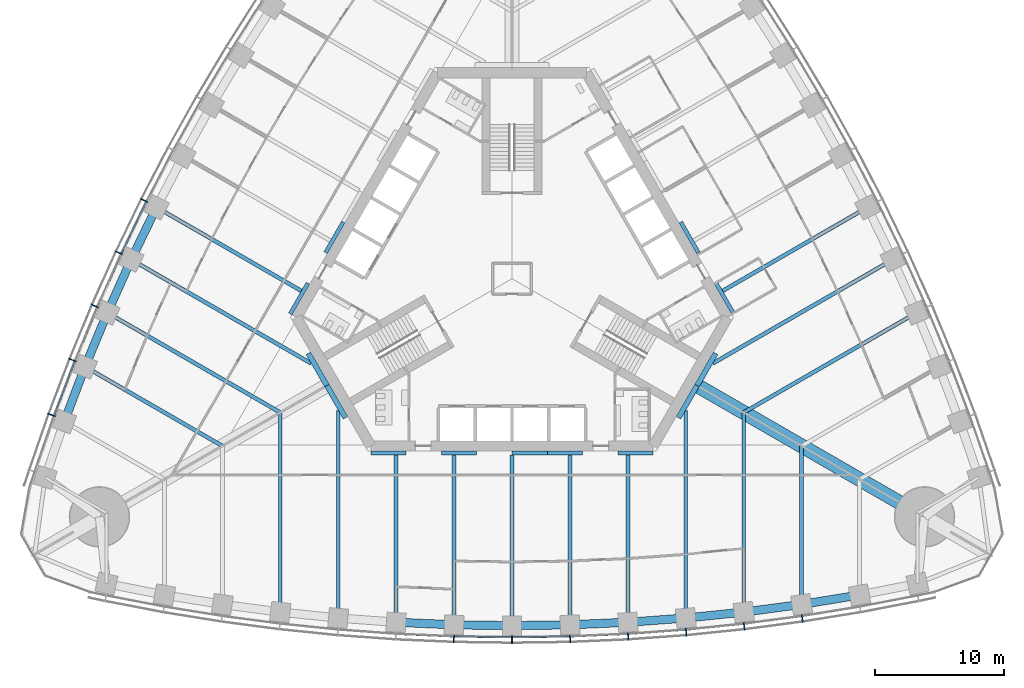
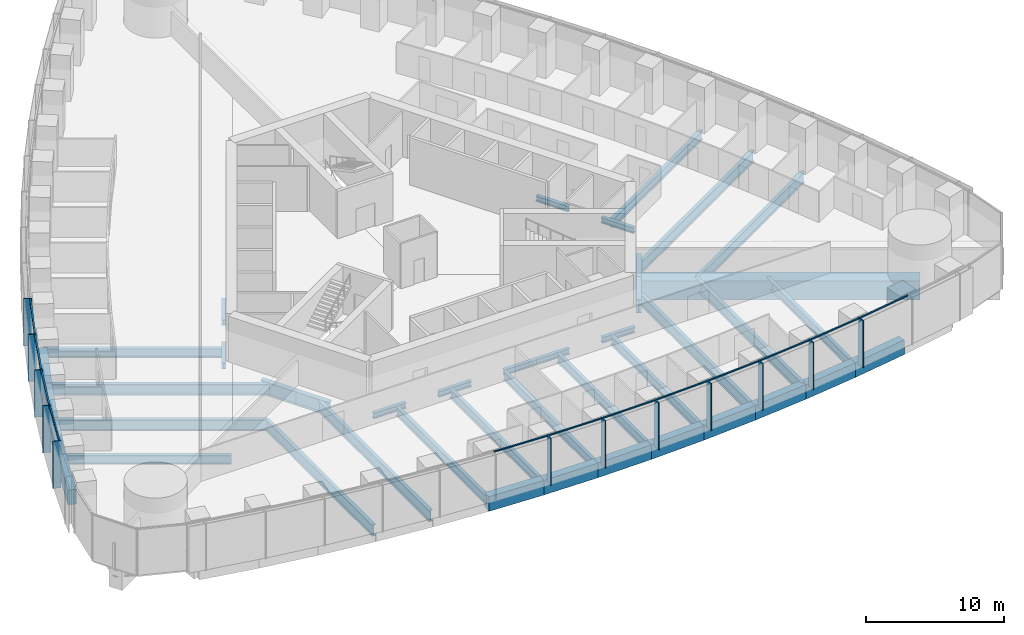
# One storey, part 3 of 18: 43 beams, 24 members, 2 elements without a shape of their own.
"""IFC4 building model written with IfcOpenShell, lengths in metres."""

from ifc_helpers import new_model, si_unit, direction, frame, origin, origin_2d, place, context, subcontext, project, spatial, rectangle, i_section, extrude, material, material_profile, profile_set, type_object, element, aggregate, save


model = new_model("IFC4")

# Units and contexts
model_context = context("Model", 3, precision=1e-05, world=origin(), true_north=direction((0.0, 1.0)))
body_context = subcontext(model_context, "Body", "Model", "MODEL_VIEW")
ifc_project = project(units=[si_unit("LENGTHUNIT", "METRE"), si_unit("AREAUNIT", "SQUARE_METRE"), si_unit("VOLUMEUNIT", "CUBIC_METRE"), si_unit("PLANEANGLEUNIT", "RADIAN"), si_unit("MASSUNIT", "GRAM", prefix="KILO")], contexts=[model_context])

# Site, building, storey
site_placement = place(None, origin())
site = spatial("IfcSite", under=ifc_project, at=site_placement, CompositionType="ELEMENT")
building_placement = place(site_placement, origin())
building = spatial("IfcBuilding", under=site, at=building_placement, Name="Trefoil Bronze Tower", CompositionType="ELEMENT")
storey_placement = place(building_placement, frame((0.0, 0.0, 58.5)))
storey = spatial("IfcBuildingStorey", under=building, at=storey_placement, Name="L13", CompositionType="ELEMENT", Elevation=58.5)

# Curtain wall, members
ifc_material_1 = material(Name="Tinted solar-control glass", Category="glass")
curtain_wall_type = type_object("IfcCurtainWallType", Name="Bronze office curtain wall", PredefinedType="USERDEFINED", material=ifc_material_1)
curtain_wall_1_placement = place(storey_placement, origin())
curtain_wall_1 = element("IfcCurtainWall", 1, at=curtain_wall_1_placement, inside=storey, type_object=curtain_wall_type, Name="CW-A L13 F1", ObjectType="CURTAIN WALL", PredefinedType="USERDEFINED")
ifc_material_2 = material(Name="Bronze-finish aluminium", Category="aluminium")
ifc_material_profile_1 = material_profile(ifc_material_2, rectangle(XDim=0.60009765625, YDim=0.080078125, at=origin_2d()), Name="CW-A mullion")
ifc_profile_set_1 = profile_set([ifc_material_profile_1], Name="Bronze-finish aluminium")
member_type_1 = type_object("IfcMemberType", Name="Bronze office curtain wall mullion", PredefinedType="MULLION", material=ifc_profile_set_1)
member_1_placement = place(storey_placement, frame((-4.5087890625, -27.9833984375, 0.0), z_axis=(0.0, 0.0, 1.0), x_axis=(0.029021671584, 0.999578782577, 0.0)))
member_1 = element("IfcMember", 2, at=member_1_placement, type_object=member_type_1, Name="CW-A L13 F1 mullion 8", PredefinedType="MULLION", context=body_context, shape_type="SweptSolid", body=[
    extrude(rectangle(XDim=0.60009765625, YDim=0.080078125, at=origin_2d()), origin(), (0.0, 0.0, 1.0), 4.179931640625),
])
member_2_placement = place(storey_placement, frame((0.0, -28.048828125, 0.0), z_axis=(0.0, 0.0, 1.0), x_axis=(0.0, 1.0, 0.0)))
member_2 = element("IfcMember", 3, at=member_2_placement, type_object=member_type_1, Name="CW-A L13 F1 mullion 9", PredefinedType="MULLION", context=body_context, shape_type="SweptSolid", body=[
    extrude(rectangle(XDim=0.60009765625, YDim=0.080078125, at=origin_2d()), origin(), (0.0, 0.0, 1.0), 4.179931640625),
])
member_3_placement = place(storey_placement, frame((4.5087890625, -27.9833984375, 0.0), z_axis=(0.0, 0.0, 1.0), x_axis=(-0.029021671584, 0.999578782577, 0.0)))
member_3 = element("IfcMember", 4, at=member_3_placement, type_object=member_type_1, Name="CW-A L13 F1 mullion 10", PredefinedType="MULLION", context=body_context, shape_type="SweptSolid", body=[
    extrude(rectangle(XDim=0.60009765625, YDim=0.080078125, at=origin_2d()), origin(), (0.0, 0.0, 1.0), 4.179931640625),
])
member_4_placement = place(storey_placement, frame((9.017333984375, -27.786865234375, 0.0), z_axis=(0.0, 0.0, 1.0), x_axis=(-0.058043374207, 0.998314062162, 0.0)))
member_4 = element("IfcMember", 5, at=member_4_placement, type_object=member_type_1, Name="CW-A L13 F1 mullion 11", PredefinedType="MULLION", context=body_context, shape_type="SweptSolid", body=[
    extrude(rectangle(XDim=0.60009765625, YDim=0.080078125, at=origin_2d()), origin(), (0.0, 0.0, 1.0), 4.179931640625),
])
member_5_placement = place(storey_placement, frame((13.526123046875, -27.458984375, 0.0), z_axis=(0.0, 0.0, 1.0), x_axis=(-0.087065139456, 0.996202620701, 0.0)))
member_5 = element("IfcMember", 6, at=member_5_placement, type_object=member_type_1, Name="CW-A L13 F1 mullion 12", PredefinedType="MULLION", context=body_context, shape_type="SweptSolid", body=[
    extrude(rectangle(XDim=0.60009765625, YDim=0.080078125, at=origin_2d()), origin(), (0.0, 0.0, 1.0), 4.179931640625),
])
member_6_placement = place(storey_placement, frame((18.034912109375, -26.99853515625, 0.0), z_axis=(0.0, 0.0, 1.0), x_axis=(-0.116086999973, 0.993239048989, 0.0)))
member_6 = element("IfcMember", 7, at=member_6_placement, type_object=member_type_1, Name="CW-A L13 F1 mullion 13", PredefinedType="MULLION", context=body_context, shape_type="SweptSolid", body=[
    extrude(rectangle(XDim=0.60009765625, YDim=0.080078125, at=origin_2d()), origin(), (0.0, 0.0, 1.0), 4.179931640625),
])
member_7_placement = place(storey_placement, frame((22.54345703125, -26.40478515625, 0.0), z_axis=(0.0, 0.0, 1.0), x_axis=(-0.145108990094, 0.989415676546, 0.0)))
member_7 = element("IfcMember", 8, at=member_7_placement, type_object=member_type_1, Name="CW-A L13 F1 mullion 14", PredefinedType="MULLION", context=body_context, shape_type="SweptSolid", body=[
    extrude(rectangle(XDim=0.60009765625, YDim=0.080078125, at=origin_2d()), origin(), (0.0, 0.0, 1.0), 4.179931640625),
])

curtain_wall_2_placement = place(storey_placement, origin())
curtain_wall_2 = element("IfcCurtainWall", 9, at=curtain_wall_2_placement, inside=storey, type_object=curtain_wall_type, Name="CW-A L13 F3", ObjectType="CURTAIN WALL", PredefinedType="USERDEFINED")
member_8_placement = place(storey_placement, frame((-28.57275390625, 6.084228515625, 0.0), z_axis=(0.0, 0.0, 1.0), x_axis=(0.893587025891, -0.448889994497, 0.0)))
member_8 = element("IfcMember", 10, at=member_8_placement, type_object=member_type_1, Name="CW-A L13 F3 mullion 11", PredefinedType="MULLION", context=body_context, shape_type="SweptSolid", body=[
    extrude(rectangle(XDim=0.60009765625, YDim=0.080078125, at=origin_2d()), origin(), (0.0, 0.0, 1.0), 4.179931640625),
])
member_9_placement = place(storey_placement, frame((-30.543212890625, 2.015380859375, 0.0), z_axis=(0.0, 0.0, 1.0), x_axis=(0.906269346572, -0.422700687798, 0.0)))
member_9 = element("IfcMember", 11, at=member_9_placement, type_object=member_type_1, Name="CW-A L13 F3 mullion 12", PredefinedType="MULLION", context=body_context, shape_type="SweptSolid", body=[
    extrude(rectangle(XDim=0.60009765625, YDim=0.080078125, at=origin_2d()), origin(), (0.0, 0.0, 1.0), 4.179931640625),
])
member_10_placement = place(storey_placement, frame((-32.39892578125, -2.119384765625, 0.0), z_axis=(0.0, 0.0, 1.0), x_axis=(0.918213748442, -0.396085233469, 0.0)))
member_10 = element("IfcMember", 12, at=member_10_placement, type_object=member_type_1, Name="CW-A L13 F3 mullion 13", PredefinedType="MULLION", context=body_context, shape_type="SweptSolid", body=[
    extrude(rectangle(XDim=0.60009765625, YDim=0.080078125, at=origin_2d()), origin(), (0.0, 0.0, 1.0), 4.179931640625),
])
member_11_placement = place(storey_placement, frame((-34.138916015625, -6.32080078125, 0.0), z_axis=(0.0, 0.0, 1.0), x_axis=(0.929413605838, -0.369039766534, 0.0)))
member_11 = element("IfcMember", 13, at=member_11_placement, type_object=member_type_1, Name="CW-A L13 F3 mullion 14", PredefinedType="MULLION", context=body_context, shape_type="SweptSolid", body=[
    extrude(rectangle(XDim=0.60009765625, YDim=0.080078125, at=origin_2d()), origin(), (0.0, 0.0, 1.0), 4.179931640625),
])
member_12_placement = place(storey_placement, frame((-35.761962890625, -10.590087890625, 0.0), z_axis=(0.0, 0.0, 1.0), x_axis=(0.939860248316, -0.341559238839, 0.0)))
member_12 = element("IfcMember", 14, at=member_12_placement, type_object=member_type_1, Name="CW-A L13 F3 mullion 15", PredefinedType="MULLION", context=body_context, shape_type="SweptSolid", body=[
    extrude(rectangle(XDim=0.60009765625, YDim=0.080078125, at=origin_2d()), origin(), (0.0, 0.0, 1.0), 4.179931640625),
])

# Member
ifc_material_3 = material(Name="Bronze-finish aluminium", Category="aluminium")
ifc_material_profile_2 = material_profile(ifc_material_3, rectangle(XDim=0.1201171875, YDim=0.10009765625, at=origin_2d()), Name="CW-A transom")
ifc_profile_set_2 = profile_set([ifc_material_profile_2], Name="Bronze-finish aluminium")
member_type_2 = type_object("IfcMemberType", Name="Bronze office curtain wall transom", PredefinedType="USERDEFINED", material=ifc_profile_set_2)
member_13_placement = place(storey_placement, frame((-8.96435546875, -27.589111328125, 4.1298828125), z_axis=(0.999054074786, -0.043485119914, 0.0), x_axis=(0.043485119914, 0.999054074786, 0.0)))
member_13 = element("IfcMember", 15, at=member_13_placement, type_object=member_type_2, Name="CW-A L13 F1 transom 7", ObjectType="TRANSOM", PredefinedType="USERDEFINED", context=body_context, shape_type="SweptSolid", body=[
    extrude(rectangle(XDim=0.1201171875, YDim=0.10009765625, at=origin_2d()), origin(), (0.0, 0.0, 1.0), 4.424072265625),
])

member_14_placement = place(storey_placement, frame((-4.46142578125, -27.783935546875, 4.1298828125), z_axis=(0.999894497273, -0.014525643658, 0.0), x_axis=(0.014525643658, 0.999894497273, 0.0)))
member_14 = element("IfcMember", 16, at=member_14_placement, type_object=member_type_2, Name="CW-A L13 F1 transom 8", ObjectType="TRANSOM", PredefinedType="USERDEFINED", context=body_context, shape_type="SweptSolid", body=[
    extrude(rectangle(XDim=0.1201171875, YDim=0.10009765625, at=origin_2d()), origin(), (0.0, 0.0, 1.0), 4.42041015625),
])

member_15_placement = place(storey_placement, frame((0.04150390625, -27.84814453125, 4.1298828125), z_axis=(0.999894497273, 0.014525643658, 0.0), x_axis=(-0.014525643658, 0.999894497273, 0.0)))
member_15 = element("IfcMember", 17, at=member_15_placement, type_object=member_type_2, Name="CW-A L13 F1 transom 9", ObjectType="TRANSOM", PredefinedType="USERDEFINED", context=body_context, shape_type="SweptSolid", body=[
    extrude(rectangle(XDim=0.1201171875, YDim=0.10009765625, at=origin_2d()), origin(), (0.0, 0.0, 1.0), 4.42041015625),
])

member_16_placement = place(storey_placement, frame((4.54443359375, -27.781494140625, 4.1298828125), z_axis=(0.999054074786, 0.043485119914, 0.0), x_axis=(-0.043485119914, 0.999054074786, 0.0)))
member_16 = element("IfcMember", 18, at=member_16_placement, type_object=member_type_2, Name="CW-A L13 F1 transom 10", ObjectType="TRANSOM", PredefinedType="USERDEFINED", context=body_context, shape_type="SweptSolid", body=[
    extrude(rectangle(XDim=0.1201171875, YDim=0.10009765625, at=origin_2d()), origin(), (0.0, 0.0, 1.0), 4.424072265625),
])

member_17_placement = place(storey_placement, frame((9.047119140625, -27.584228515625, 4.1298828125), z_axis=(0.997364729945, 0.07255064067, 0.0), x_axis=(-0.07255064067, 0.997364729945, 0.0)))
member_17 = element("IfcMember", 19, at=member_17_placement, type_object=member_type_2, Name="CW-A L13 F1 transom 11", ObjectType="TRANSOM", PredefinedType="USERDEFINED", context=body_context, shape_type="SweptSolid", body=[
    extrude(rectangle(XDim=0.1201171875, YDim=0.10009765625, at=origin_2d()), origin(), (0.0, 0.0, 1.0), 4.431884765625),
])

member_18_placement = place(storey_placement, frame((13.550048828125, -27.25537109375, 4.1298828125), z_axis=(0.994831650915, 0.101538102888, 0.0), x_axis=(-0.101538102888, 0.994831650915, 0.0)))
member_18 = element("IfcMember", 20, at=member_18_placement, type_object=member_type_2, Name="CW-A L13 F1 transom 12", ObjectType="TRANSOM", PredefinedType="USERDEFINED", context=body_context, shape_type="SweptSolid", body=[
    extrude(rectangle(XDim=0.1201171875, YDim=0.10009765625, at=origin_2d()), origin(), (0.0, 0.0, 1.0), 4.443359375),
])

member_19_placement = place(storey_placement, frame((18.052734375, -26.79443359375, 4.1298828125), z_axis=(0.991436581643, 0.13058906761, 0.0), x_axis=(-0.13058906761, 0.991436581643, 0.0)))
member_19 = element("IfcMember", 21, at=member_19_placement, type_object=member_type_2, Name="CW-A L13 F1 transom 13", ObjectType="TRANSOM", PredefinedType="USERDEFINED", context=body_context, shape_type="SweptSolid", body=[
    extrude(rectangle(XDim=0.1201171875, YDim=0.10009765625, at=origin_2d()), origin(), (0.0, 0.0, 1.0), 4.458740234375),
])

member_20_placement = place(storey_placement, frame((22.555419921875, -26.2001953125, 4.1298828125), z_axis=(0.987179401487, 0.159614627398, 0.0), x_axis=(-0.159614627398, 0.987179401487, 0.0)))
member_20 = element("IfcMember", 22, at=member_20_placement, type_object=member_type_2, Name="CW-A L13 F1 transom 14", ObjectType="TRANSOM", PredefinedType="USERDEFINED", context=body_context, shape_type="SweptSolid", body=[
    extrude(rectangle(XDim=0.1201171875, YDim=0.10009765625, at=origin_2d()), origin(), (0.0, 0.0, 1.0), 4.478515625),
])

aggregate(curtain_wall_1, [member_1, member_2, member_3, member_4, member_5, member_6, member_7, member_13, member_14, member_15, member_16, member_17, member_18, member_19, member_20])

member_21_placement = place(storey_placement, frame((-28.412109375, 5.95703125, 4.1298828125), z_axis=(-0.435851763293, -0.900018466719, 0.0), x_axis=(0.900018466719, -0.435851763293, 0.0)))
member_21 = element("IfcMember", 23, at=member_21_placement, type_object=member_type_2, Name="CW-A L13 F3 transom 11", ObjectType="TRANSOM", PredefinedType="USERDEFINED", context=body_context, shape_type="SweptSolid", body=[
    extrude(rectangle(XDim=0.1201171875, YDim=0.10009765625, at=origin_2d()), origin(), (0.0, 0.0, 1.0), 4.431884765625),
])

member_22_placement = place(storey_placement, frame((-30.37890625, 1.89306640625, 4.1298828125), z_axis=(-0.409459746452, -0.912328184392, 0.0), x_axis=(0.912328184392, -0.409459746452, 0.0)))
member_22 = element("IfcMember", 24, at=member_22_placement, type_object=member_type_2, Name="CW-A L13 F3 transom 12", ObjectType="TRANSOM", PredefinedType="USERDEFINED", context=body_context, shape_type="SweptSolid", body=[
    extrude(rectangle(XDim=0.1201171875, YDim=0.10009765625, at=origin_2d()), origin(), (0.0, 0.0, 1.0), 4.443359375),
])

member_23_placement = place(storey_placement, frame((-32.231201171875, -2.23681640625, 4.1298828125), z_axis=(-0.382616149417, -0.923907399151, 0.0), x_axis=(0.923907399151, -0.382616149417, 0.0)))
member_23 = element("IfcMember", 25, at=member_23_placement, type_object=member_type_2, Name="CW-A L13 F3 transom 13", ObjectType="TRANSOM", PredefinedType="USERDEFINED", context=body_context, shape_type="SweptSolid", body=[
    extrude(rectangle(XDim=0.1201171875, YDim=0.10009765625, at=origin_2d()), origin(), (0.0, 0.0, 1.0), 4.458984375),
])

member_24_placement = place(storey_placement, frame((-33.9677734375, -6.433349609375, 4.1298828125), z_axis=(-0.355367327392, -0.934726731522, 0.0), x_axis=(0.934726731522, -0.355367327392, 0.0)))
member_24 = element("IfcMember", 26, at=member_24_placement, type_object=member_type_2, Name="CW-A L13 F3 transom 14", ObjectType="TRANSOM", PredefinedType="USERDEFINED", context=body_context, shape_type="SweptSolid", body=[
    extrude(rectangle(XDim=0.1201171875, YDim=0.10009765625, at=origin_2d()), origin(), (0.0, 0.0, 1.0), 4.478515625),
])

aggregate(curtain_wall_2, [member_8, member_9, member_10, member_11, member_12, member_21, member_22, member_23, member_24])

# Beams
ifc_material_4 = material(Name="Steel C355", Category="steel")
ifc_material_profile_3 = material_profile(ifc_material_4, i_section(OverallWidth=0.300048828125, OverallDepth=0.5, WebThickness=0.014404296875, FlangeThickness=0.028076171875, FilletRadius=0.027099609375, at=origin_2d()), Name="HEB 500")
ifc_profile_set_3 = profile_set([ifc_material_profile_3], Name="Steel C355")
beam_type_1 = type_object("IfcBeamType", Name="Core seat beam HEB 500", PredefinedType="BEAM", material=ifc_profile_set_3)
for number, where, z_axis, x_axis, name in (
    (27, (-10.9697265625, -13.550048828125, -0.449951171875), (1.0, 0.0, 0.0), (0.0, 1.0, 0.0), "Core seat beam F1/-2 L13"),
    (28, (-5.48486328125, -13.550048828125, -0.449951171875), (1.0, 0.0, 0.0), (0.0, 1.0, 0.0), "Core seat beam F1/-1 L13"),
    (29, (0.0, -13.550048828125, -0.449951171875), (1.0, 0.0, 0.0), (0.0, 1.0, 0.0), "Core seat beam F1/+0 L13"),
    (30, (2.742431640625, -13.550048828125, -0.449951171875), (1.0, 0.0, 0.0), (0.0, 1.0, 0.0), "Core seat beam F1/+1 L13"),
    (31, (8.227294921875, -13.550048828125, -0.449951171875), (1.0, 0.0, 0.0), (0.0, 1.0, 0.0), "Core seat beam F1/+2 L13"),
    (32, (17.219482421875, -2.72509765625, -0.449951171875), (-0.500035825175, 0.866004719122, 0.0), (-0.866004719122, -0.500035825175, 0.0), "Core seat beam F2/-2 L13"),
    (33, (14.47705078125, 2.02490234375, -0.449951171875), (-0.499969057507, 0.866043267704, 0.0), (-0.866043267704, -0.499969057507, 0.0), "Core seat beam F2/-1 L13"),
    (34, (-13.10595703125, 4.39990234375, -0.449951171875), (-0.499969057507, -0.866043267704, 0.0), (0.866043267704, -0.499969057507, 0.0), "Core seat beam F3/+1 L13"),
    (35, (-15.84814453125, -0.35009765625, -0.449951171875), (-0.500035825175, -0.866004719122, 0.0), (0.866004719122, -0.500035825175, 0.0), "Core seat beam F3/+2 L13"),
):
    element("IfcBeam", number, at=place(storey_placement, frame(where, z_axis=z_axis, x_axis=x_axis)), inside=storey, type_object=beam_type_1, Name=name, PredefinedType="BEAM", context=body_context, shape_type="SweptSolid", body=[
        extrude(i_section(OverallWidth=0.300048828125, OverallDepth=0.5, WebThickness=0.014404296875, FlangeThickness=0.028076171875, FilletRadius=0.027099609375, at=origin_2d()), origin(), (0.0, 0.0, 1.0), 2.742431640625),
    ])
ifc_material_5 = material(Name="Steel C355", Category="steel")
ifc_material_profile_4 = material_profile(ifc_material_5, i_section(OverallWidth=0.39990234375, OverallDepth=1.199951171875, WebThickness=0.02001953125, FlangeThickness=0.0400390625, FilletRadius=0.010009765625, at=origin_2d()), Name="WPG 1200")
ifc_profile_set_4 = profile_set([ifc_material_profile_4], Name="Steel C355")
beam_type_2 = type_object("IfcBeamType", Name="Core seat beam WPG 1200", PredefinedType="BEAM", material=ifc_profile_set_4)
for number, where, z_axis, x_axis, name in (
    (36, (-14.3759765625, -8.300048828125, -0.800048828125), (0.499995765644, -0.866027848477, 0.0), (0.866027848477, 0.499995765644, 0.0), "Core seat beam F1/-3 L13"),
    (37, (12.9326171875, -10.800048828125, -0.800048828125), (0.499995765644, 0.866027848477, 0.0), (-0.866027848477, 0.499995765644, 0.0), "Core seat beam F1/+3 L13"),
    (38, (14.3759765625, -8.300048828125, -0.800048828125), (0.499995765644, 0.866027848477, 0.0), (-0.866027848477, 0.499995765644, 0.0), "Core seat beam F2/-3 L13"),
    (39, (-15.8193359375, -5.800048828125, -0.800048828125), (0.499995765644, -0.866027848477, 0.0), (0.866027848477, 0.499995765644, 0.0), "Core seat beam F3/+3 L13"),
):
    element("IfcBeam", number, at=place(storey_placement, frame(where, z_axis=z_axis, x_axis=x_axis)), inside=storey, type_object=beam_type_2, Name=name, PredefinedType="BEAM", context=body_context, shape_type="SweptSolid", body=[
        extrude(i_section(OverallWidth=0.39990234375, OverallDepth=1.199951171875, WebThickness=0.02001953125, FlangeThickness=0.0400390625, FilletRadius=0.010009765625, at=origin_2d()), origin(), (0.0, 0.0, 1.0), 2.88671875),
    ])
ifc_material_6 = material(Name="Concrete B80", Category="concrete")
ifc_material_profile_5 = material_profile(ifc_material_6, rectangle(XDim=1.10009765625, YDim=1.699951171875, at=origin_2d()), Name="RC 1100x1700")
ifc_profile_set_5 = profile_set([ifc_material_profile_5], Name="Concrete B80")
beam_type_3 = type_object("IfcBeamType", Name="Corner girder RC 1100x1700", PredefinedType="BEAM", material=ifc_profile_set_5)
beam_1_placement = place(storey_placement, frame((14.202880859375, -8.199951171875, -1.050048828125), z_axis=(0.866023947468, -0.500002522405, 0.0), x_axis=(0.500002522405, 0.866023947468, 0.0)))
element("IfcBeam", 40, at=beam_1_placement, inside=storey, type_object=beam_type_3, Name="Corner girder K1 L13", PredefinedType="BEAM", context=body_context, shape_type="SweptSolid", body=[
    extrude(rectangle(XDim=1.10009765625, YDim=1.699951171875, at=origin_2d()), origin(), (0.0, 0.0, 1.0), 20.60009765625),
])
ifc_material_7 = material(Name="Steel C355", Category="steel")
ifc_material_profile_6 = material_profile(ifc_material_7, i_section(OverallWidth=0.300048828125, OverallDepth=1.0, WebThickness=0.01904296875, FlangeThickness=0.035888671875, FilletRadius=0.030029296875, at=origin_2d()), Name="HEB 1000")
ifc_profile_set_6 = profile_set([ifc_material_profile_6], Name="Steel C355")
beam_type_4 = type_object("IfcBeamType", Name="Floor beam HEB 1000", PredefinedType="BEAM", material=ifc_profile_set_6)
for number, where, z_axis, x_axis, name in (
    (41, (-18.0, -25.895263671875, -0.699951171875), (0.0, 1.0, 0.0), (-1.0, 0.0, 0.0), "Floor beam F1/-4 L13"),
    (42, (18.0, -25.895263671875, -0.699951171875), (0.0, 1.0, 0.0), (-1.0, 0.0, 0.0), "Floor beam F1/+4 L13"),
):
    element("IfcBeam", number, at=place(storey_placement, frame(where, z_axis=z_axis, x_axis=x_axis)), inside=storey, type_object=beam_type_4, Name=name, PredefinedType="BEAM", context=body_context, shape_type="SweptSolid", body=[
        extrude(i_section(OverallWidth=0.300048828125, OverallDepth=1.0, WebThickness=0.01904296875, FlangeThickness=0.035888671875, FilletRadius=0.030029296875, at=origin_2d()), origin(), (0.0, 0.0, 1.0), 15.5029296875),
    ])
for number, where, z_axis, x_axis, name in (
    (43, (31.42578125, -2.640869140625, -0.699951171875), (-0.866022989816, -0.500004181093, 0.0), (0.500004181093, -0.866022989816, 0.0), "Floor beam F2/-4 L13"),
    (44, (-31.42578125, -2.640869140625, -0.699951171875), (0.866022989816, -0.500004181093, 0.0), (0.500004181093, 0.866022989816, 0.0), "Floor beam F3/+4 L13"),
):
    element("IfcBeam", number, at=place(storey_placement, frame(where, z_axis=z_axis, x_axis=x_axis)), inside=storey, type_object=beam_type_4, Name=name, PredefinedType="BEAM", context=body_context, shape_type="SweptSolid", body=[
        extrude(i_section(OverallWidth=0.300048828125, OverallDepth=1.0, WebThickness=0.01904296875, FlangeThickness=0.035888671875, FilletRadius=0.030029296875, at=origin_2d()), origin(), (0.0, 0.0, 1.0), 15.502685546875),
    ])
ifc_material_8 = material(Name="Steel C355", Category="steel")
ifc_material_profile_7 = material_profile(ifc_material_8, i_section(OverallWidth=0.300048828125, OverallDepth=0.800048828125, WebThickness=0.017578125, FlangeThickness=0.032958984375, FilletRadius=0.030029296875, at=origin_2d()), Name="HEB 800")
ifc_profile_set_7 = profile_set([ifc_material_profile_7], Name="Steel C355")
beam_type_5 = type_object("IfcBeamType", Name="Floor beam HEB 800", PredefinedType="BEAM", material=ifc_profile_set_7)
beam_2_placement = place(storey_placement, frame((-9.0, -26.68603515625, -0.60009765625), z_axis=(0.0, 1.0, 0.0), x_axis=(-1.0, 0.0, 0.0)))
element("IfcBeam", 45, at=beam_2_placement, inside=storey, type_object=beam_type_5, Name="Floor beam F1/-2 L13", PredefinedType="BEAM", context=body_context, shape_type="SweptSolid", body=[
    extrude(i_section(OverallWidth=0.300048828125, OverallDepth=0.800048828125, WebThickness=0.017578125, FlangeThickness=0.032958984375, FilletRadius=0.030029296875, at=origin_2d()), origin(), (0.0, 0.0, 1.0), 12.986083984375),
])
beam_3_placement = place(storey_placement, frame((-4.5, -26.883056640625, -0.60009765625), z_axis=(0.0, 1.0, 0.0), x_axis=(-1.0, 0.0, 0.0)))
element("IfcBeam", 46, at=beam_3_placement, inside=storey, type_object=beam_type_5, Name="Floor beam F1/-1 L13", PredefinedType="BEAM", context=body_context, shape_type="SweptSolid", body=[
    extrude(i_section(OverallWidth=0.300048828125, OverallDepth=0.800048828125, WebThickness=0.017578125, FlangeThickness=0.032958984375, FilletRadius=0.030029296875, at=origin_2d()), origin(), (0.0, 0.0, 1.0), 13.18310546875),
])
beam_4_placement = place(storey_placement, frame((0.0, -26.94873046875, -0.60009765625), z_axis=(0.0, 1.0, 0.0), x_axis=(-1.0, 0.0, 0.0)))
element("IfcBeam", 47, at=beam_4_placement, inside=storey, type_object=beam_type_5, Name="Floor beam F1/+0 L13", PredefinedType="BEAM", context=body_context, shape_type="SweptSolid", body=[
    extrude(i_section(OverallWidth=0.300048828125, OverallDepth=0.800048828125, WebThickness=0.017578125, FlangeThickness=0.032958984375, FilletRadius=0.030029296875, at=origin_2d()), origin(), (0.0, 0.0, 1.0), 13.248779296875),
])
beam_5_placement = place(storey_placement, frame((4.5, -26.883056640625, -0.60009765625), z_axis=(0.0, 1.0, 0.0), x_axis=(-1.0, 0.0, 0.0)))
element("IfcBeam", 48, at=beam_5_placement, inside=storey, type_object=beam_type_5, Name="Floor beam F1/+1 L13", PredefinedType="BEAM", context=body_context, shape_type="SweptSolid", body=[
    extrude(i_section(OverallWidth=0.300048828125, OverallDepth=0.800048828125, WebThickness=0.017578125, FlangeThickness=0.032958984375, FilletRadius=0.030029296875, at=origin_2d()), origin(), (0.0, 0.0, 1.0), 13.18310546875),
])
beam_6_placement = place(storey_placement, frame((9.0, -26.68603515625, -0.60009765625), z_axis=(0.0, 1.0, 0.0), x_axis=(-1.0, 0.0, 0.0)))
element("IfcBeam", 49, at=beam_6_placement, inside=storey, type_object=beam_type_5, Name="Floor beam F1/+2 L13", PredefinedType="BEAM", context=body_context, shape_type="SweptSolid", body=[
    extrude(i_section(OverallWidth=0.300048828125, OverallDepth=0.800048828125, WebThickness=0.017578125, FlangeThickness=0.032958984375, FilletRadius=0.030029296875, at=origin_2d()), origin(), (0.0, 0.0, 1.0), 12.986083984375),
])
beam_7_placement = place(storey_placement, frame((22.5, -25.29931640625, -0.60009765625), z_axis=(0.0, 1.0, 0.0), x_axis=(-1.0, 0.0, 0.0)))
element("IfcBeam", 50, at=beam_7_placement, inside=storey, type_object=beam_type_5, Name="Floor beam F1/+5 L13", PredefinedType="BEAM", context=body_context, shape_type="SweptSolid", body=[
    extrude(i_section(OverallWidth=0.300048828125, OverallDepth=0.800048828125, WebThickness=0.017578125, FlangeThickness=0.032958984375, FilletRadius=0.030029296875, at=origin_2d()), origin(), (0.0, 0.0, 1.0), 12.308837890625),
])
for number, where, z_axis, x_axis, name in (
    (51, (27.61083984375, 5.548828125, -0.60009765625), (-0.866022474361, -0.500005073876, 0.0), (0.500005073876, -0.866022474361, 0.0), "Floor beam F2/-2 L13"),
    (52, (-27.61083984375, 5.548828125, -0.60009765625), (0.866022474361, -0.500005073876, 0.0), (0.500005073876, 0.866022474361, 0.0), "Floor beam F3/+2 L13"),
):
    element("IfcBeam", number, at=place(storey_placement, frame(where, z_axis=z_axis, x_axis=x_axis)), inside=storey, type_object=beam_type_5, Name=name, PredefinedType="BEAM", context=body_context, shape_type="SweptSolid", body=[
        extrude(i_section(OverallWidth=0.300048828125, OverallDepth=0.800048828125, WebThickness=0.017578125, FlangeThickness=0.032958984375, FilletRadius=0.030029296875, at=origin_2d()), origin(), (0.0, 0.0, 1.0), 12.986083984375),
    ])
beam_8_placement = place(storey_placement, frame((-33.159912109375, -6.8359375, -0.60009765625), z_axis=(0.866024070878, -0.500002308654, 0.0), x_axis=(0.500002308654, 0.866024070878, 0.0)))
element("IfcBeam", 53, at=beam_8_placement, inside=storey, type_object=beam_type_5, Name="Floor beam F3/+5 L13", PredefinedType="BEAM", context=body_context, shape_type="SweptSolid", body=[
    extrude(i_section(OverallWidth=0.300048828125, OverallDepth=0.800048828125, WebThickness=0.017578125, FlangeThickness=0.032958984375, FilletRadius=0.030029296875, at=origin_2d()), origin(), (0.0, 0.0, 1.0), 12.30908203125),
])
ifc_material_9 = material(Name="Steel C355", Category="steel")
ifc_material_profile_8 = material_profile(ifc_material_9, i_section(OverallWidth=0.302001953125, OverallDepth=1.008056640625, WebThickness=0.02099609375, FlangeThickness=0.0400390625, FilletRadius=0.030029296875, at=origin_2d()), Name="HEM 1000")
ifc_profile_set_8 = profile_set([ifc_material_profile_8], Name="Steel C355")
beam_type_6 = type_object("IfcBeamType", Name="Floor beam HEM 1000", PredefinedType="BEAM", material=ifc_profile_set_8)
for number, where, z_axis, x_axis, name in (
    (54, (-13.5, -26.35693359375, -0.7041015625), (0.0, 1.0, 0.0), (-1.0, 0.0, 0.0), "Floor beam F1/-3 L13"),
    (55, (13.5, -26.35693359375, -0.7041015625), (0.0, 1.0, 0.0), (-1.0, 0.0, 0.0), "Floor beam F1/+3 L13"),
):
    element("IfcBeam", number, at=place(storey_placement, frame(where, z_axis=z_axis, x_axis=x_axis)), inside=storey, type_object=beam_type_6, Name=name, PredefinedType="BEAM", context=body_context, shape_type="SweptSolid", body=[
        extrude(i_section(OverallWidth=0.302001953125, OverallDepth=1.008056640625, WebThickness=0.02099609375, FlangeThickness=0.0400390625, FilletRadius=0.030029296875, at=origin_2d()), origin(), (0.0, 0.0, 1.0), 16.1396484375),
    ])
for number, where, z_axis, x_axis, name in (
    (56, (29.575927734375, 1.487060546875, -0.7041015625), (-0.866028401131, -0.499994808408, 0.0), (0.499994808408, -0.866028401131, 0.0), "Floor beam F2/-3 L13"),
    (57, (-29.575927734375, 1.487060546875, -0.7041015625), (0.866028401131, -0.499994808408, 0.0), (0.499994808408, 0.866028401131, 0.0), "Floor beam F3/+3 L13"),
):
    element("IfcBeam", number, at=place(storey_placement, frame(where, z_axis=z_axis, x_axis=x_axis)), inside=storey, type_object=beam_type_6, Name=name, PredefinedType="BEAM", context=body_context, shape_type="SweptSolid", body=[
        extrude(i_section(OverallWidth=0.302001953125, OverallDepth=1.008056640625, WebThickness=0.02099609375, FlangeThickness=0.0400390625, FilletRadius=0.030029296875, at=origin_2d()), origin(), (0.0, 0.0, 1.0), 16.139892578125),
    ])
ifc_material_10 = material(Name="Concrete B80", Category="concrete")
ifc_material_profile_9 = material_profile(ifc_material_10, rectangle(XDim=0.64990234375, YDim=1.300048828125, at=origin_2d()), Name="RC 650x1300")
ifc_profile_set_9 = profile_set([ifc_material_profile_9], Name="Concrete B80")
beam_type_7 = type_object("IfcBeamType", Name="Spandrel beam RC 650x1300", PredefinedType="SPANDREL", material=ifc_profile_set_9)
beam_9_placement = place(storey_placement, frame((-9.0, -26.68603515625, -0.85009765625), z_axis=(0.999042919826, -0.043740648671, 0.0), x_axis=(0.043740648671, 0.999042919826, 0.0)))
element("IfcBeam", 58, at=beam_9_placement, inside=storey, type_object=beam_type_7, Name="Spandrel F1.7 L13", PredefinedType="SPANDREL", context=body_context, shape_type="SweptSolid", body=[
    extrude(rectangle(XDim=0.64990234375, YDim=1.300048828125, at=origin_2d()), origin(), (0.0, 0.0, 1.0), 4.50439453125),
])
for number, where, z_axis, x_axis, name in (
    (59, (-4.5, -26.883056640625, -0.85009765625), (0.999893521905, -0.014592630067, 0.0), (0.014592630067, 0.999893521905, 0.0), "Spandrel F1.8 L13"),
    (60, (0.0, -26.94873046875, -0.85009765625), (0.999893521905, 0.014592630067, 0.0), (-0.014592630067, 0.999893521905, 0.0), "Spandrel F1.9 L13"),
):
    element("IfcBeam", number, at=place(storey_placement, frame(where, z_axis=z_axis, x_axis=x_axis)), inside=storey, type_object=beam_type_7, Name=name, PredefinedType="SPANDREL", context=body_context, shape_type="SweptSolid", body=[
        extrude(rectangle(XDim=0.64990234375, YDim=1.300048828125, at=origin_2d()), origin(), (0.0, 0.0, 1.0), 4.50048828125),
    ])
beam_10_placement = place(storey_placement, frame((4.5, -26.883056640625, -0.85009765625), z_axis=(0.999042919826, 0.043740648671, 0.0), x_axis=(-0.043740648671, 0.999042919826, 0.0)))
element("IfcBeam", 61, at=beam_10_placement, inside=storey, type_object=beam_type_7, Name="Spandrel F1.10 L13", PredefinedType="SPANDREL", context=body_context, shape_type="SweptSolid", body=[
    extrude(rectangle(XDim=0.64990234375, YDim=1.300048828125, at=origin_2d()), origin(), (0.0, 0.0, 1.0), 4.50439453125),
])
beam_11_placement = place(storey_placement, frame((9.0, -26.68603515625, -0.85009765625), z_axis=(0.997336412354, 0.072938882588, 0.0), x_axis=(-0.072938882588, 0.997336412354, 0.0)))
element("IfcBeam", 62, at=beam_11_placement, inside=storey, type_object=beam_type_7, Name="Spandrel F1.11 L13", PredefinedType="SPANDREL", context=body_context, shape_type="SweptSolid", body=[
    extrude(rectangle(XDim=0.64990234375, YDim=1.300048828125, at=origin_2d()), origin(), (0.0, 0.0, 1.0), 4.511962890625),
])
beam_12_placement = place(storey_placement, frame((13.5, -26.35693359375, -0.85009765625), z_axis=(0.994778488621, 0.102057623805, 0.0), x_axis=(-0.102057623805, 0.994778488621, 0.0)))
element("IfcBeam", 63, at=beam_12_placement, inside=storey, type_object=beam_type_7, Name="Spandrel F1.12 L13", PredefinedType="SPANDREL", context=body_context, shape_type="SweptSolid", body=[
    extrude(rectangle(XDim=0.64990234375, YDim=1.300048828125, at=origin_2d()), origin(), (0.0, 0.0, 1.0), 4.523681640625),
])
beam_13_placement = place(storey_placement, frame((18.0, -25.895263671875, -0.85009765625), z_axis=(0.991344474846, 0.131286450906, 0.0), x_axis=(-0.131286450906, 0.991344474846, 0.0)))
element("IfcBeam", 64, at=beam_13_placement, inside=storey, type_object=beam_type_7, Name="Spandrel F1.13 L13", PredefinedType="SPANDREL", context=body_context, shape_type="SweptSolid", body=[
    extrude(rectangle(XDim=0.64990234375, YDim=1.300048828125, at=origin_2d()), origin(), (0.0, 0.0, 1.0), 4.539306640625),
])
beam_14_placement = place(storey_placement, frame((22.5, -25.29931640625, -0.85009765625), z_axis=(0.987045951254, 0.160437807615, 0.0), x_axis=(-0.160437807615, 0.987045951254, 0.0)))
element("IfcBeam", 65, at=beam_14_placement, inside=storey, type_object=beam_type_7, Name="Spandrel F1.14 L13", PredefinedType="SPANDREL", context=body_context, shape_type="SweptSolid", body=[
    extrude(rectangle(XDim=0.64990234375, YDim=1.300048828125, at=origin_2d()), origin(), (0.0, 0.0, 1.0), 4.55908203125),
])
beam_15_placement = place(storey_placement, frame((-27.61083984375, 5.548828125, -0.85009765625), z_axis=(-0.435510013583, -0.900183885697, 0.0), x_axis=(0.900183885697, -0.435510013583, 0.0)))
element("IfcBeam", 66, at=beam_15_placement, inside=storey, type_object=beam_type_7, Name="Spandrel F3.11 L13", PredefinedType="SPANDREL", context=body_context, shape_type="SweptSolid", body=[
    extrude(rectangle(XDim=0.64990234375, YDim=1.300048828125, at=origin_2d()), origin(), (0.0, 0.0, 1.0), 4.51220703125),
])
beam_16_placement = place(storey_placement, frame((-29.575927734375, 1.487060546875, -0.85009765625), z_axis=(-0.408945873044, -0.912558640812, 0.0), x_axis=(0.912558640812, -0.408945873044, 0.0)))
element("IfcBeam", 67, at=beam_16_placement, inside=storey, type_object=beam_type_7, Name="Spandrel F3.12 L13", PredefinedType="SPANDREL", context=body_context, shape_type="SweptSolid", body=[
    extrude(rectangle(XDim=0.64990234375, YDim=1.300048828125, at=origin_2d()), origin(), (0.0, 0.0, 1.0), 4.5234375),
])
beam_17_placement = place(storey_placement, frame((-31.42578125, -2.640869140625, -0.85009765625), z_axis=(-0.382020825144, -0.924153715113, 0.0), x_axis=(0.924153715113, -0.382020825144, 0.0)))
element("IfcBeam", 68, at=beam_17_placement, inside=storey, type_object=beam_type_7, Name="Spandrel F3.13 L13", PredefinedType="SPANDREL", context=body_context, shape_type="SweptSolid", body=[
    extrude(rectangle(XDim=0.64990234375, YDim=1.300048828125, at=origin_2d()), origin(), (0.0, 0.0, 1.0), 4.539306640625),
])
beam_18_placement = place(storey_placement, frame((-33.159912109375, -6.8359375, -0.85009765625), z_axis=(-0.354571899767, -0.935028752443, 0.0), x_axis=(0.935028752443, -0.354571899767, 0.0)))
element("IfcBeam", 69, at=beam_18_placement, inside=storey, type_object=beam_type_7, Name="Spandrel F3.14 L13", PredefinedType="SPANDREL", context=body_context, shape_type="SweptSolid", body=[
    extrude(rectangle(XDim=0.64990234375, YDim=1.300048828125, at=origin_2d()), origin(), (0.0, 0.0, 1.0), 4.558837890625),
])

save(model, "model.ifc")
